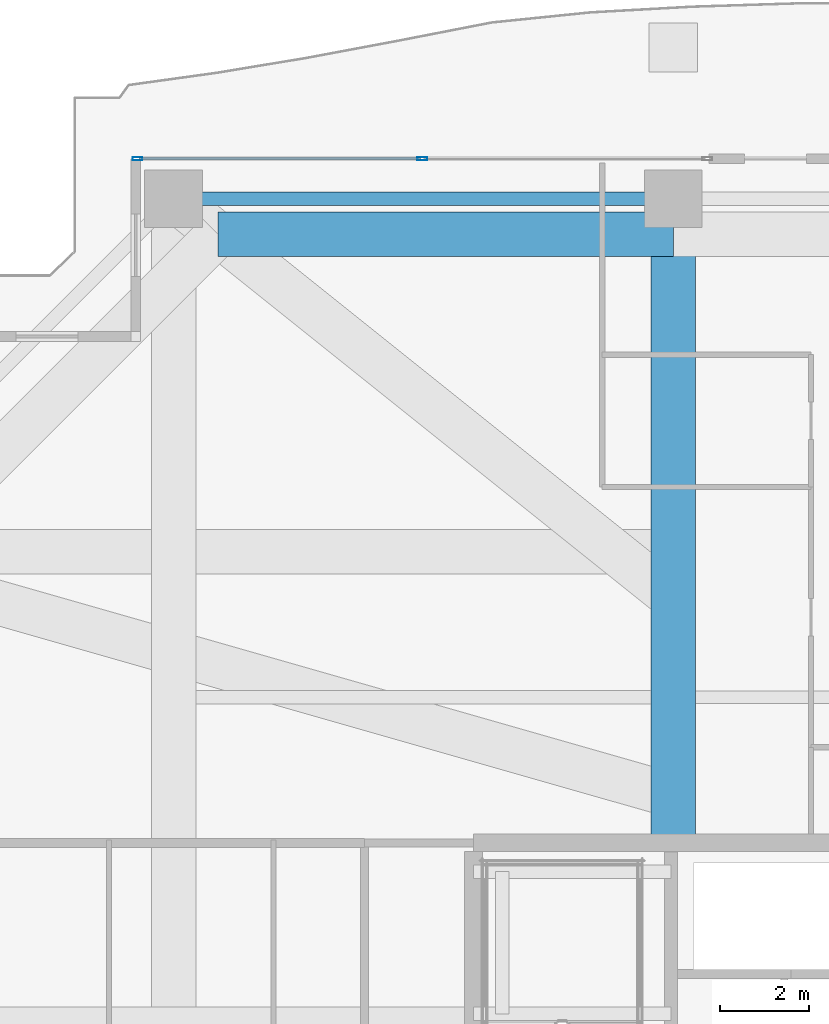
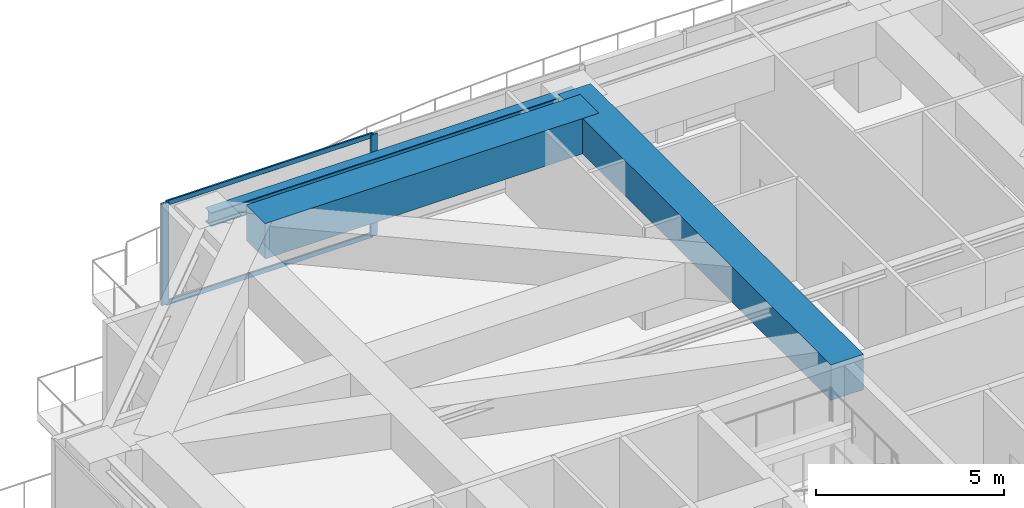
# One storey, part 16 of 32: 4 members, 3 beams, 1 element without a shape of its own.
"""IFC4 building model written with IfcOpenShell, lengths in metres."""

from ifc_helpers import new_model, si_unit, direction, frame, origin, origin_2d, place, context, subcontext, project, spatial, rectangle, hollow_rectangle, i_section, extrude, source, transform, mapped, material, layer, layer_set, material_profile, profile_set, type_object, element, aggregate, save


model = new_model("IFC4")

# Units and contexts
model_context = context("Model", 3, precision=1e-05, world=origin(), true_north=direction((0.0, 1.0)))
body_context = subcontext(model_context, "Body", "Model", "MODEL_VIEW")
ifc_project = project(units=[si_unit("LENGTHUNIT", "METRE"), si_unit("AREAUNIT", "SQUARE_METRE"), si_unit("VOLUMEUNIT", "CUBIC_METRE"), si_unit("PLANEANGLEUNIT", "RADIAN"), si_unit("MASSUNIT", "GRAM", prefix="KILO")], contexts=[model_context])

# Site, building, storey
site_placement = place(None, origin())
site = spatial("IfcSite", under=ifc_project, at=site_placement, CompositionType="ELEMENT")
building_placement = place(site_placement, origin())
building = spatial("IfcBuilding", under=site, at=building_placement, Name="Serunith Strait Residences", CompositionType="ELEMENT")
storey_placement = place(building_placement, frame((0.0, 0.0, 195.14990234375)))
storey = spatial("IfcBuildingStorey", under=building, at=storey_placement, Name="L49", CompositionType="ELEMENT", Elevation=195.14990234375)

# Beams
ifc_material_1 = material(Name="Steel S355J2", Category="steel")
ifc_material_profile_1 = material_profile(ifc_material_1, i_section(OverallWidth=0.300048828125, OverallDepth=0.449951171875, WebThickness=0.013916015625, FlangeThickness=0.02587890625, FilletRadius=0.027099609375, at=origin_2d()), Name="HEB 450")
ifc_profile_set_1 = profile_set([ifc_material_profile_1], Name="Steel S355J2")
beam_type_1 = type_object("IfcBeamType", Name="BM-HEB450", PredefinedType="BEAM", material=ifc_profile_set_1)
shared_shape_1 = source(origin(), body_context, "Body", "SweptSolid", [
    extrude(i_section(OverallWidth=0.300048828125, OverallDepth=0.449951171875, WebThickness=0.013916015625, FlangeThickness=0.02587890625, FilletRadius=0.027099609375, at=origin_2d()), origin(), (0.0, 0.0, 1.0), 11.25),
])
beam_1_placement = place(storey_placement, frame((27.89990234375, 48.10009765625, 3.08203125), z_axis=(-1.0, 0.0, 0.0), x_axis=(0.0, -1.0, 0.0)))
element("IfcBeam", 1, at=beam_1_placement, inside=storey, type_object=beam_type_1, Name="L49 Perimeter Ring Beam 11", PredefinedType="BEAM", context=body_context, shape_type="MappedRepresentation", body=[
    mapped(shared_shape_1, transform((0.0, 0.0, 0.0), scale=1.0)),
])
ifc_material_2 = material(Name="Concrete C80/95", Category="concrete")
ifc_material_profile_2 = material_profile(ifc_material_2, rectangle(XDim=1.0, YDim=1.14990234375, at=origin_2d()), Name="RC 1000x1150")
ifc_profile_set_2 = profile_set([ifc_material_profile_2], Name="Concrete C80/95")
beam_type_2 = type_object("IfcBeamType", Name="BM-XFER-1000x1150", PredefinedType="BEAM", material=ifc_profile_set_2)
shared_shape_2 = source(origin(), body_context, "Body", "SweptSolid", [
    extrude(rectangle(XDim=1.0, YDim=1.14990234375, at=origin_2d()), origin(), (0.0, 0.0, 1.0), 14.5),
])
beam_2_placement = place(storey_placement, frame((27.89990234375, 33.60009765625, 2.735107421875), z_axis=(0.0, 1.0, 0.0), x_axis=(-1.0, 0.0, 0.0)))
element("IfcBeam", 2, at=beam_2_placement, inside=storey, type_object=beam_type_2, Name="L49 Primary Floor Girder TC-N2", PredefinedType="BEAM", context=body_context, shape_type="MappedRepresentation", body=[
    mapped(shared_shape_2, transform((0.0, 0.0, 0.0), scale=1.0)),
])
shared_shape_3 = source(origin(), body_context, "Body", "SweptSolid", [
    extrude(rectangle(XDim=1.0, YDim=1.14990234375, at=origin_2d()), origin(), (0.0, 0.0, 1.0), 10.25),
])
beam_3_placement = place(storey_placement, frame((27.89990234375, 47.300048828125, 2.735107421875), z_axis=(-1.0, 0.0, 0.0), x_axis=(0.0, -1.0, 0.0)))
element("IfcBeam", 3, at=beam_3_placement, inside=storey, type_object=beam_type_2, Name="L49 Flare Upper Ring Transfer Girder 11", PredefinedType="BEAM", context=body_context, shape_type="MappedRepresentation", body=[
    mapped(shared_shape_3, transform((0.0, 0.0, 0.0), scale=1.0)),
])

# Curtain wall, members
ifc_material_3 = material(Name="Pale-Silver PVDF Aluminium", Category="aluminium")
ifc_layer = layer(ifc_material_3, 0.199951171875, Name="Pale-Silver PVDF Aluminium")
ifc_layer_set = layer_set([ifc_layer], Name="Pale-Silver PVDF Aluminium")
curtain_wall_type = type_object("IfcCurtainWallType", Name="CW-SYS3", PredefinedType="NOTDEFINED", material=ifc_layer_set)
curtain_wall_placement = place(storey_placement, origin())
curtain_wall = element("IfcCurtainWall", 4, at=curtain_wall_placement, inside=storey, type_object=curtain_wall_type, Name="L49 N Unitised Fritted Curtain Wall", PredefinedType="NOTDEFINED")
ifc_material_profile_3 = material_profile(ifc_material_3, hollow_rectangle(XDim=0.074951171875, YDim=0.219970703125, WallThickness=0.00390625, InnerFilletRadius=0.006103515625, OuterFilletRadius=0.010009765625, at=origin_2d()), Name="ALU 220x75x4")
ifc_profile_set_3 = profile_set([ifc_material_profile_3], Name="Pale-Silver PVDF Aluminium")
member_type_1 = type_object("IfcMemberType", Name="CW-SYS3-MULL", PredefinedType="MULLION", material=ifc_profile_set_3)
shared_shape_4 = source(origin(), body_context, "Body", "SweptSolid", [
    extrude(hollow_rectangle(XDim=0.074951171875, YDim=0.219970703125, WallThickness=0.00390625, InnerFilletRadius=0.006103515625, OuterFilletRadius=0.010009765625, at=origin_2d()), origin(), (0.0, 0.0, 1.0), 3.295166015625),
])
member_1_placement = place(storey_placement, frame((22.25, 49.0, 0.0), z_axis=(0.0, 0.0, 1.0), x_axis=(0.0, -1.0, 0.0)))
member_1 = element("IfcMember", 5, at=member_1_placement, type_object=member_type_1, Name="CW-3 mullion 2", PredefinedType="MULLION", context=body_context, shape_type="MappedRepresentation", body=[
    mapped(shared_shape_4, transform((0.0, 0.0, 0.0), scale=1.0)),
])
member_2_placement = place(storey_placement, frame((15.83740234375, 49.0, 0.0), z_axis=(0.0, 0.0, 1.0), x_axis=(0.0, -1.0, 0.0)))
member_2 = element("IfcMember", 6, at=member_2_placement, type_object=member_type_1, Name="CW-3 mullion 3", PredefinedType="MULLION", context=body_context, shape_type="MappedRepresentation", body=[
    mapped(shared_shape_4, transform((0.0, 0.0, 0.0), scale=1.0)),
])
ifc_material_profile_4 = material_profile(ifc_material_3, hollow_rectangle(XDim=0.06005859375, YDim=0.159912109375, WallThickness=0.00341796875, InnerFilletRadius=0.00537109375, OuterFilletRadius=0.0087890625, at=origin_2d()), Name="ALU 160x60x3.5")
ifc_profile_set_4 = profile_set([ifc_material_profile_4], Name="Pale-Silver PVDF Aluminium")
member_type_2 = type_object("IfcMemberType", Name="CW-SYS3-TRAN", PredefinedType="USERDEFINED", material=ifc_profile_set_4)
shared_shape_5 = source(origin(), body_context, "Body", "SweptSolid", [
    extrude(hollow_rectangle(XDim=0.06005859375, YDim=0.159912109375, WallThickness=0.00341796875, InnerFilletRadius=0.00537109375, OuterFilletRadius=0.0087890625, at=origin_2d()), origin(), (0.0, 0.0, 1.0), 6.33740234375),
])
member_3_placement = place(storey_placement, frame((22.21240234375, 49.0, 0.030029296875), z_axis=(-1.0, 0.0, 0.0), x_axis=(0.0, -1.0, 0.0)))
member_3 = element("IfcMember", 7, at=member_3_placement, type_object=member_type_2, Name="CW-3 transom 2.1", ObjectType="TRANSOM", PredefinedType="USERDEFINED", context=body_context, shape_type="MappedRepresentation", body=[
    mapped(shared_shape_5, transform((0.0, 0.0, 0.0), scale=1.0)),
])
member_4_placement = place(storey_placement, frame((22.21240234375, 49.0, 3.26513671875), z_axis=(-1.0, 0.0, 0.0), x_axis=(0.0, -1.0, 0.0)))
member_4 = element("IfcMember", 8, at=member_4_placement, type_object=member_type_2, Name="CW-3 transom 2.2", ObjectType="TRANSOM", PredefinedType="USERDEFINED", context=body_context, shape_type="MappedRepresentation", body=[
    mapped(shared_shape_5, transform((0.0, 0.0, 0.0), scale=1.0)),
])
aggregate(curtain_wall, [member_1, member_2, member_3, member_4])

save(model, "model.ifc")
